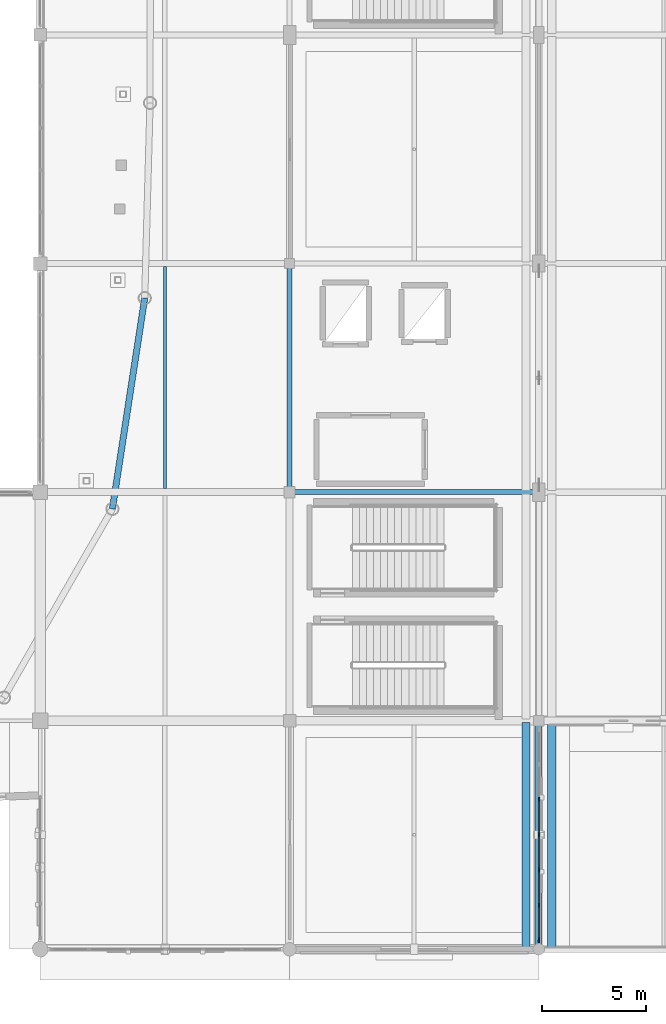
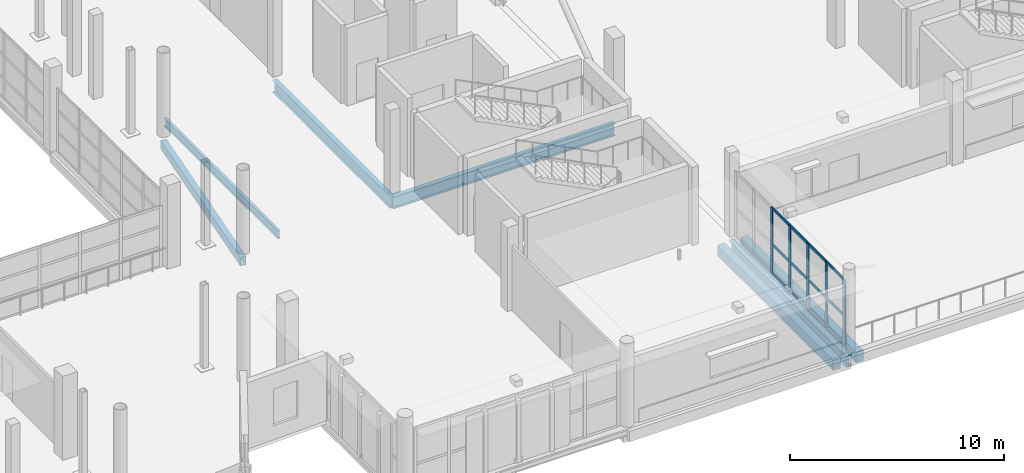
# One storey, part 57 of 143: 17 members, 7 beams, 1 element without a shape of its own.
"""IFC4 building model written with IfcOpenShell, lengths in metres."""

from ifc_helpers import new_model, si_unit, direction, frame, origin, origin_2d, place, context, subcontext, project, spatial, rectangle, hollow_rectangle, i_section, extrude, material, material_profile, profile_set, type_object, element, aggregate, save


model = new_model("IFC4")

# Units and contexts
model_context = context("Model", 3, precision=1e-05, world=origin(), true_north=direction((0.0, 1.0)))
body_context = subcontext(model_context, "Body", "Model", "MODEL_VIEW")
ifc_project = project(units=[si_unit("LENGTHUNIT", "METRE"), si_unit("AREAUNIT", "SQUARE_METRE"), si_unit("VOLUMEUNIT", "CUBIC_METRE"), si_unit("PLANEANGLEUNIT", "RADIAN"), si_unit("MASSUNIT", "GRAM", prefix="KILO")], contexts=[model_context])

# Site, building, storey
site_placement = place(None, origin())
site = spatial("IfcSite", under=ifc_project, at=site_placement, CompositionType="ELEMENT")
building_placement = place(site_placement, origin())
building = spatial("IfcBuilding", under=site, at=building_placement, Name="Luwafu Chhajja Arena", CompositionType="ELEMENT")
storey_placement = place(building_placement, frame((0.0, 0.0, 5.39990234375)))
storey = spatial("IfcBuildingStorey", under=building, at=storey_placement, Name="L01", CompositionType="ELEMENT", Elevation=5.39990234375)

# Curtain wall, members
ifc_material_1 = material(Name="Anodised bronze aluminium", Category="aluminium")
curtain_wall_type = type_object("IfcCurtainWallType", Name="Foyer Luwafu Street Curtain Wall", PredefinedType="USERDEFINED", material=ifc_material_1)
curtain_wall_placement = place(storey_placement, origin())
curtain_wall = element("IfcCurtainWall", 1, at=curtain_wall_placement, inside=storey, type_object=curtain_wall_type, Name="L01 Curtain Wall CWG-L01-V14_00", ObjectType="CURTAIN WALL", PredefinedType="USERDEFINED")
ifc_material_profile_1 = material_profile(ifc_material_1, rectangle(XDim=0.06494140625, YDim=0.199951171875, at=origin_2d()), Name="CWM 65x200")
ifc_profile_set_1 = profile_set([ifc_material_profile_1], Name="Anodised bronze aluminium")
member_type_1 = type_object("IfcMemberType", Name="Bronze Curtain Wall Mullion 65x200", PredefinedType="MULLION", material=ifc_profile_set_1)
member_1_placement = place(storey_placement, frame((164.0, 0.447509765625, 0.030029296875), z_axis=(0.0, 0.0, 1.0), x_axis=(-1.0, 0.0, 0.0)))
member_1 = element("IfcMember", 2, at=member_1_placement, type_object=member_type_1, Name="CW-05 mullion 1", PredefinedType="MULLION", context=body_context, shape_type="SweptSolid", body=[
    extrude(rectangle(XDim=0.06494140625, YDim=0.199951171875, at=origin_2d()), origin(), (0.0, 0.0, 1.0), 3.760009765625),
])
member_2_placement = place(storey_placement, frame((164.0, 2.1142578125, 0.030029296875), z_axis=(0.0, 0.0, 1.0), x_axis=(-1.0, 0.0, 0.0)))
member_2 = element("IfcMember", 3, at=member_2_placement, type_object=member_type_1, Name="CW-05 mullion 2", PredefinedType="MULLION", context=body_context, shape_type="SweptSolid", body=[
    extrude(rectangle(XDim=0.06494140625, YDim=0.199951171875, at=origin_2d()), origin(), (0.0, 0.0, 1.0), 3.760009765625),
])
member_3_placement = place(storey_placement, frame((164.0, 3.813232421875, 0.030029296875), z_axis=(0.0, 0.0, 1.0), x_axis=(-1.0, 0.0, 0.0)))
member_3 = element("IfcMember", 4, at=member_3_placement, type_object=member_type_1, Name="CW-05 mullion 3", PredefinedType="MULLION", context=body_context, shape_type="SweptSolid", body=[
    extrude(rectangle(XDim=0.06494140625, YDim=0.199951171875, at=origin_2d()), origin(), (0.0, 0.0, 1.0), 3.760009765625),
])
member_4_placement = place(storey_placement, frame((164.0, 5.512451171875, 0.030029296875), z_axis=(0.0, 0.0, 1.0), x_axis=(-1.0, 0.0, 0.0)))
member_4 = element("IfcMember", 5, at=member_4_placement, type_object=member_type_1, Name="CW-05 mullion 4", PredefinedType="MULLION", context=body_context, shape_type="SweptSolid", body=[
    extrude(rectangle(XDim=0.06494140625, YDim=0.199951171875, at=origin_2d()), origin(), (0.0, 0.0, 1.0), 3.760009765625),
])
member_5_placement = place(storey_placement, frame((164.0, 7.211669921875, 0.030029296875), z_axis=(0.0, 0.0, 1.0), x_axis=(-1.0, 0.0, 0.0)))
member_5 = element("IfcMember", 6, at=member_5_placement, type_object=member_type_1, Name="CW-05 mullion 5", PredefinedType="MULLION", context=body_context, shape_type="SweptSolid", body=[
    extrude(rectangle(XDim=0.06494140625, YDim=0.199951171875, at=origin_2d()), origin(), (0.0, 0.0, 1.0), 3.760009765625),
])
ifc_material_profile_2 = material_profile(ifc_material_1, rectangle(XDim=0.06494140625, YDim=0.14990234375, at=origin_2d()), Name="CWT 65x150")
ifc_profile_set_2 = profile_set([ifc_material_profile_2], Name="Anodised bronze aluminium")
member_type_2 = type_object("IfcMemberType", Name="Bronze Curtain Wall Transom 65x150", PredefinedType="USERDEFINED", material=ifc_profile_set_2)
member_6_placement = place(storey_placement, frame((164.0, 0.47998046875, 0.0625), z_axis=(0.0, 1.0, 0.0), x_axis=(-1.0, 0.0, 0.0)))
member_6 = element("IfcMember", 7, at=member_6_placement, type_object=member_type_2, Name="CW-05 transom 1.1", ObjectType="TRANSOM", PredefinedType="USERDEFINED", context=body_context, shape_type="SweptSolid", body=[
    extrude(rectangle(XDim=0.06494140625, YDim=0.14990234375, at=origin_2d()), origin(), (0.0, 0.0, 1.0), 1.601806640625),
])
member_7_placement = place(storey_placement, frame((164.0, 0.47998046875, 1.70556640625), z_axis=(0.0, 1.0, 0.0), x_axis=(-1.0, 0.0, 0.0)))
member_7 = element("IfcMember", 8, at=member_7_placement, type_object=member_type_2, Name="CW-05 transom 1.2", ObjectType="TRANSOM", PredefinedType="USERDEFINED", context=body_context, shape_type="SweptSolid", body=[
    extrude(rectangle(XDim=0.06494140625, YDim=0.14990234375, at=origin_2d()), origin(), (0.0, 0.0, 1.0), 1.601806640625),
])
member_8_placement = place(storey_placement, frame((164.0, 0.47998046875, 3.757568359375), z_axis=(0.0, 1.0, 0.0), x_axis=(-1.0, 0.0, 0.0)))
member_8 = element("IfcMember", 9, at=member_8_placement, type_object=member_type_2, Name="CW-05 transom 1.3", ObjectType="TRANSOM", PredefinedType="USERDEFINED", context=body_context, shape_type="SweptSolid", body=[
    extrude(rectangle(XDim=0.06494140625, YDim=0.14990234375, at=origin_2d()), origin(), (0.0, 0.0, 1.0), 1.601806640625),
])
member_9_placement = place(storey_placement, frame((164.0, 2.146728515625, 0.0625), z_axis=(0.0, 1.0, 0.0), x_axis=(-1.0, 0.0, 0.0)))
member_9 = element("IfcMember", 10, at=member_9_placement, type_object=member_type_2, Name="CW-05 transom 2.1", ObjectType="TRANSOM", PredefinedType="USERDEFINED", context=body_context, shape_type="SweptSolid", body=[
    extrude(rectangle(XDim=0.06494140625, YDim=0.14990234375, at=origin_2d()), origin(), (0.0, 0.0, 1.0), 1.634033203125),
])
member_10_placement = place(storey_placement, frame((164.0, 2.146728515625, 1.70556640625), z_axis=(0.0, 1.0, 0.0), x_axis=(-1.0, 0.0, 0.0)))
member_10 = element("IfcMember", 11, at=member_10_placement, type_object=member_type_2, Name="CW-05 transom 2.2", ObjectType="TRANSOM", PredefinedType="USERDEFINED", context=body_context, shape_type="SweptSolid", body=[
    extrude(rectangle(XDim=0.06494140625, YDim=0.14990234375, at=origin_2d()), origin(), (0.0, 0.0, 1.0), 1.634033203125),
])
member_11_placement = place(storey_placement, frame((164.0, 2.146728515625, 3.757568359375), z_axis=(0.0, 1.0, 0.0), x_axis=(-1.0, 0.0, 0.0)))
member_11 = element("IfcMember", 12, at=member_11_placement, type_object=member_type_2, Name="CW-05 transom 2.3", ObjectType="TRANSOM", PredefinedType="USERDEFINED", context=body_context, shape_type="SweptSolid", body=[
    extrude(rectangle(XDim=0.06494140625, YDim=0.14990234375, at=origin_2d()), origin(), (0.0, 0.0, 1.0), 1.634033203125),
])
member_12_placement = place(storey_placement, frame((164.0, 3.845947265625, 0.0625), z_axis=(0.0, 1.0, 0.0), x_axis=(-1.0, 0.0, 0.0)))
member_12 = element("IfcMember", 13, at=member_12_placement, type_object=member_type_2, Name="CW-05 transom 3.1", ObjectType="TRANSOM", PredefinedType="USERDEFINED", context=body_context, shape_type="SweptSolid", body=[
    extrude(rectangle(XDim=0.06494140625, YDim=0.14990234375, at=origin_2d()), origin(), (0.0, 0.0, 1.0), 1.634033203125),
])
member_13_placement = place(storey_placement, frame((164.0, 3.845947265625, 1.70556640625), z_axis=(0.0, 1.0, 0.0), x_axis=(-1.0, 0.0, 0.0)))
member_13 = element("IfcMember", 14, at=member_13_placement, type_object=member_type_2, Name="CW-05 transom 3.2", ObjectType="TRANSOM", PredefinedType="USERDEFINED", context=body_context, shape_type="SweptSolid", body=[
    extrude(rectangle(XDim=0.06494140625, YDim=0.14990234375, at=origin_2d()), origin(), (0.0, 0.0, 1.0), 1.634033203125),
])
member_14_placement = place(storey_placement, frame((164.0, 3.845947265625, 3.757568359375), z_axis=(0.0, 1.0, 0.0), x_axis=(-1.0, 0.0, 0.0)))
member_14 = element("IfcMember", 15, at=member_14_placement, type_object=member_type_2, Name="CW-05 transom 3.3", ObjectType="TRANSOM", PredefinedType="USERDEFINED", context=body_context, shape_type="SweptSolid", body=[
    extrude(rectangle(XDim=0.06494140625, YDim=0.14990234375, at=origin_2d()), origin(), (0.0, 0.0, 1.0), 1.634033203125),
])
member_15_placement = place(storey_placement, frame((164.0, 5.544921875, 0.0625), z_axis=(0.0, 1.0, 0.0), x_axis=(-1.0, 0.0, 0.0)))
member_15 = element("IfcMember", 16, at=member_15_placement, type_object=member_type_2, Name="CW-05 transom 4.1", ObjectType="TRANSOM", PredefinedType="USERDEFINED", context=body_context, shape_type="SweptSolid", body=[
    extrude(rectangle(XDim=0.06494140625, YDim=0.14990234375, at=origin_2d()), origin(), (0.0, 0.0, 1.0), 1.63427734375),
])
member_16_placement = place(storey_placement, frame((164.0, 5.544921875, 1.70556640625), z_axis=(0.0, 1.0, 0.0), x_axis=(-1.0, 0.0, 0.0)))
member_16 = element("IfcMember", 17, at=member_16_placement, type_object=member_type_2, Name="CW-05 transom 4.2", ObjectType="TRANSOM", PredefinedType="USERDEFINED", context=body_context, shape_type="SweptSolid", body=[
    extrude(rectangle(XDim=0.06494140625, YDim=0.14990234375, at=origin_2d()), origin(), (0.0, 0.0, 1.0), 1.63427734375),
])
member_17_placement = place(storey_placement, frame((164.0, 5.544921875, 3.757568359375), z_axis=(0.0, 1.0, 0.0), x_axis=(-1.0, 0.0, 0.0)))
member_17 = element("IfcMember", 18, at=member_17_placement, type_object=member_type_2, Name="CW-05 transom 4.3", ObjectType="TRANSOM", PredefinedType="USERDEFINED", context=body_context, shape_type="SweptSolid", body=[
    extrude(rectangle(XDim=0.06494140625, YDim=0.14990234375, at=origin_2d()), origin(), (0.0, 0.0, 1.0), 1.63427734375),
])
aggregate(curtain_wall, [member_1, member_2, member_3, member_4, member_5, member_6, member_7, member_8, member_9, member_10, member_11, member_12, member_13, member_14, member_15, member_16, member_17])

# Beams
ifc_material_2 = material(Name="Steel S355", Category="steel")
ifc_material_profile_3 = material_profile(ifc_material_2, i_section(OverallWidth=0.15283203125, OverallDepth=0.45458984375, WebThickness=0.008056640625, FlangeThickness=0.01318359375, at=origin_2d()), Name="UB 457x152x60")
ifc_profile_set_3 = profile_set([ifc_material_profile_3], Name="Steel S355")
beam_type_1 = type_object("IfcBeamType", Name="Floor Joist UB 457x152x60", PredefinedType="JOIST", material=ifc_profile_set_3)
beam_1_placement = place(storey_placement, frame((146.0, 22.175048828125, -0.55712890625), z_axis=(0.0, 1.0, 0.0), x_axis=(-1.0, 0.0, 0.0)))
element("IfcBeam", 19, at=beam_1_placement, inside=storey, type_object=beam_type_1, Name="L01 Secondary Joist 13-14/C", PredefinedType="JOIST", context=body_context, shape_type="SweptSolid", body=[
    extrude(i_section(OverallWidth=0.15283203125, OverallDepth=0.45458984375, WebThickness=0.008056640625, FlangeThickness=0.01318359375, at=origin_2d()), origin(), (0.0, 0.0, 1.0), 10.67138671875),
])
ifc_material_profile_4 = material_profile(ifc_material_2, hollow_rectangle(XDim=0.300048828125, YDim=0.5, WallThickness=0.02001953125, at=origin_2d()), Name="RHS 500x300x20")
ifc_profile_set_4 = profile_set([ifc_material_profile_4], Name="Steel S355")
beam_type_2 = type_object("IfcBeamType", Name="Pleated Drum Spandrel Beam RHS 500x300", PredefinedType="SPANDREL", material=ifc_profile_set_4)
beam_2_placement = place(storey_placement, frame((143.47607421875, 21.194091796875, -0.579833984375), z_axis=(0.1515977802, 0.988442265911, 0.0), x_axis=(-0.988442265911, 0.1515977802, 0.0)))
element("IfcBeam", 20, at=beam_2_placement, inside=storey, type_object=beam_type_2, Name="L01 Drum Ring Spandrel D30-D31", PredefinedType="SPANDREL", context=body_context, shape_type="SweptSolid", body=[
    extrude(hollow_rectangle(XDim=0.300048828125, YDim=0.5, WallThickness=0.02001953125, at=origin_2d()), origin(), (0.0, 0.0, 1.0), 10.263427734375),
])
ifc_material_3 = material(Name="Concrete C35/45", Category="concrete")
ifc_material_profile_5 = material_profile(ifc_material_3, rectangle(XDim=0.39990234375, YDim=0.60009765625, at=origin_2d()), Name="RC 400x600")
ifc_profile_set_5 = profile_set([ifc_material_profile_5], Name="Concrete C35/45")
beam_type_3 = type_object("IfcBeamType", Name="Podium Perimeter Spandrel RC 400x600", PredefinedType="SPANDREL", material=ifc_profile_set_5)
for number, where, z_axis, x_axis, name in (
    (21, (163.3798828125, 0.080078125, -0.6298828125), (0.0, 1.0, 0.0), (-1.0, 0.0, 0.0), "L01 Movement Joint MJ2W Seat Girder 00"),
    (22, (164.6201171875, 0.080078125, -0.6298828125), (0.0, 1.0, 0.0), (-1.0, 0.0, 0.0), "L01 Movement Joint MJ2E Seat Girder 00"),
):
    element("IfcBeam", number, at=place(storey_placement, frame(where, z_axis=z_axis, x_axis=x_axis)), inside=storey, type_object=beam_type_3, Name=name, PredefinedType="SPANDREL", context=body_context, shape_type="SweptSolid", body=[
        extrude(rectangle(XDim=0.39990234375, YDim=0.60009765625, at=origin_2d()), origin(), (0.0, 0.0, 1.0), 10.83984375),
    ])
ifc_material_profile_6 = material_profile(ifc_material_2, i_section(OverallWidth=0.253662109375, OverallDepth=0.68359375, WebThickness=0.012451171875, FlangeThickness=0.01904296875, at=origin_2d()), Name="UB 686x254x140")
ifc_profile_set_6 = profile_set([ifc_material_profile_6], Name="Steel S355")
beam_type_4 = type_object("IfcBeamType", Name="Steel Concourse Girder UB 686x254x140", PredefinedType="BEAM", material=ifc_profile_set_6)
beam_3_placement = place(storey_placement, frame((152.0, 22.0, -0.671630859375), z_axis=(1.0, 0.0, 0.0), x_axis=(0.0, 1.0, 0.0)))
element("IfcBeam", 23, at=beam_3_placement, inside=storey, type_object=beam_type_4, Name="L01 Grid Beam 14-15/C", PredefinedType="BEAM", context=body_context, shape_type="SweptSolid", body=[
    extrude(i_section(OverallWidth=0.253662109375, OverallDepth=0.68359375, WebThickness=0.012451171875, FlangeThickness=0.01904296875, at=origin_2d()), origin(), (0.0, 0.0, 1.0), 12.0),
])
beam_4_placement = place(storey_placement, frame((152.0, 22.0, -0.671630859375), z_axis=(0.0, 1.0, 0.0), x_axis=(-1.0, 0.0, 0.0)))
element("IfcBeam", 24, at=beam_4_placement, inside=storey, type_object=beam_type_4, Name="L01 Grid Beam 14/C-D", PredefinedType="BEAM", context=body_context, shape_type="SweptSolid", body=[
    extrude(i_section(OverallWidth=0.253662109375, OverallDepth=0.68359375, WebThickness=0.012451171875, FlangeThickness=0.01904296875, at=origin_2d()), origin(), (0.0, 0.0, 1.0), 11.0),
])
ifc_material_profile_7 = material_profile(ifc_material_2, i_section(OverallWidth=0.30712890625, OverallDepth=0.6201171875, WebThickness=0.01416015625, FlangeThickness=0.023681640625, at=origin_2d()), Name="UB 610x305x179")
ifc_profile_set_7 = profile_set([ifc_material_profile_7], Name="Steel S355")
beam_type_5 = type_object("IfcBeamType", Name="Steel Hospitality Girder UB 610x305x179", PredefinedType="BEAM", material=ifc_profile_set_7)
beam_5_placement = place(storey_placement, frame((164.0, 0.0, -0.639892578125), z_axis=(0.0, 1.0, 0.0), x_axis=(-1.0, 0.0, 0.0)))
element("IfcBeam", 25, at=beam_5_placement, inside=storey, type_object=beam_type_5, Name="L01 Grid Beam 15/A-B", PredefinedType="BEAM", context=body_context, shape_type="SweptSolid", body=[
    extrude(i_section(OverallWidth=0.30712890625, OverallDepth=0.6201171875, WebThickness=0.01416015625, FlangeThickness=0.023681640625, at=origin_2d()), origin(), (0.0, 0.0, 1.0), 11.0),
])

save(model, "model.ifc")
